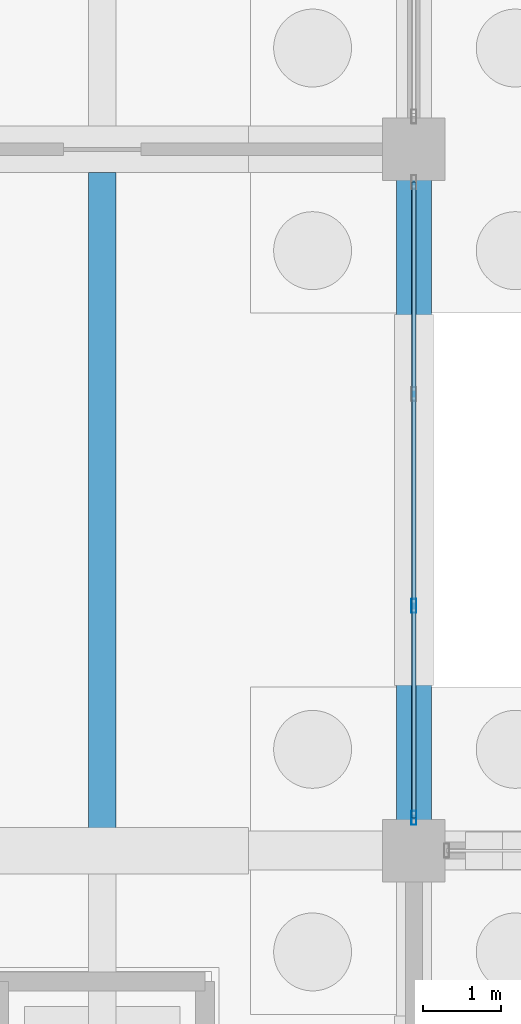
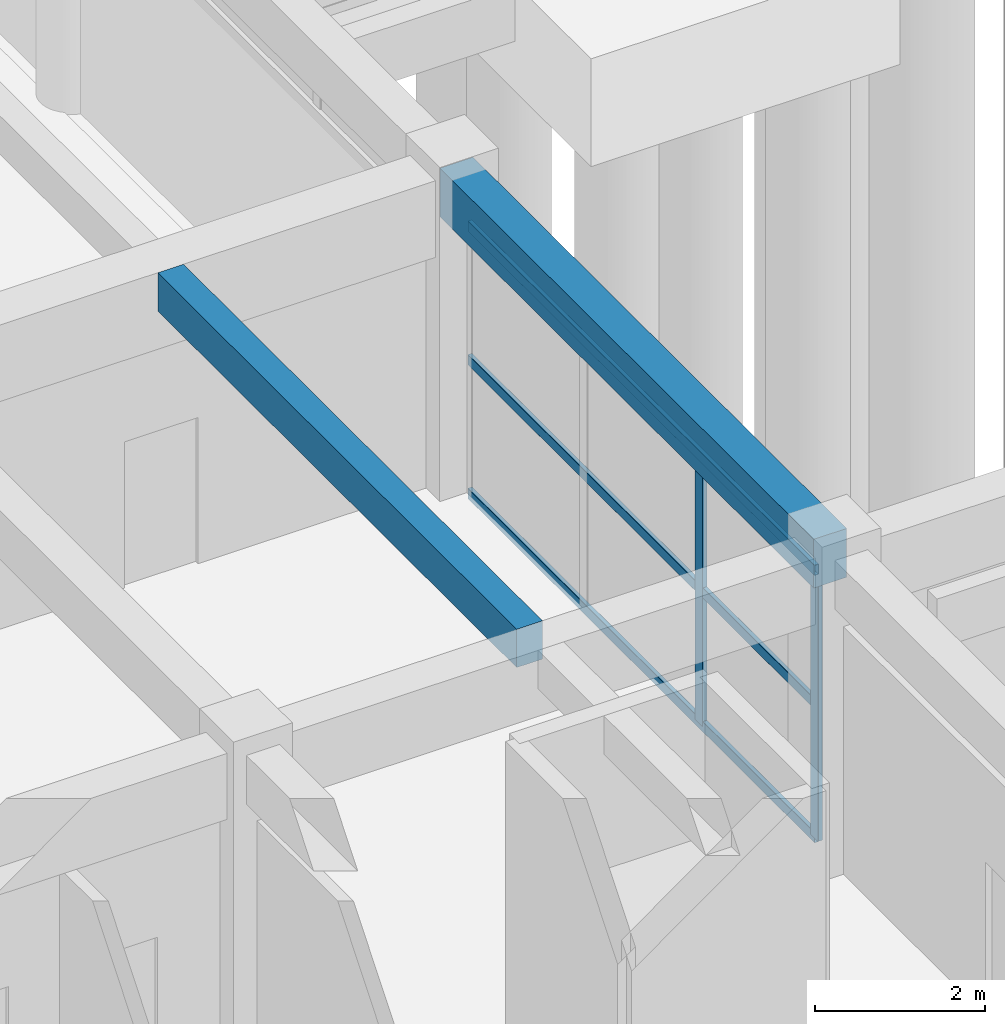
# One storey, part 33 of 147: 5 members, 2 beams, 1 element without a shape of its own.
"""IFC4 building model written with IfcOpenShell, lengths in metres."""

import ifcopenshell
import ifcopenshell.guid

model = None  # the IFC model being written
_history = None  # IfcOwnerHistory: only IFC2X3 demands one
_inside = {}  # id of a spatial element -> (the spatial element, [elements in it])
_under = {}  # id of a project, library or spatial element -> (it, [spatial elements below it])
_declared = {}  # id of a project -> (the project, [libraries it declares])
_typed = {}  # id of a type object -> (the type object, [elements of that type])
_made_of = {}  # id of a material, layer set ... -> (it, [elements and type objects made of it])


def new_model(schema):
    """Start an empty IFC model of exactly this schema.

    Asked for "IFC4X3", IfcOpenShell would pick the latest addendum, in which some entities
    have other attributes; the version numbers below select the first issue.
    IFC2X3 requires an IfcOwnerHistory on every rooted entity: one is made here for all.
    """
    global model, _history
    if schema == "IFC4X3":
        model = ifcopenshell.file(schema_version=(4, 3, 0, 0))
    else:
        model = ifcopenshell.file(schema=schema)
    _inside.clear()
    _under.clear()
    _declared.clear()
    _typed.clear()
    _made_of.clear()
    _history = None
    if model.schema == "IFC2X3":
        org = make("IfcOrganization", Name="unknown")
        user = make(
            "IfcPersonAndOrganization",
            ThePerson=make("IfcPerson", FamilyName="unknown"),
            TheOrganization=org,
        )
        app = make(
            "IfcApplication",
            ApplicationDeveloper=org,
            Version="unknown",
            ApplicationFullName="unknown",
            ApplicationIdentifier="unknown",
        )
        _history = make(
            "IfcOwnerHistory",
            OwningUser=user,
            OwningApplication=app,
            ChangeAction="ADDED",
            CreationDate=0,
        )
    return model


def make(cls, **values):
    """One entity of the class cls with the attributes given. An attribute that is None is left unset."""
    return model.create_entity(
        cls, **{name: value for name, value in values.items() if value is not None}
    )


def rooted(cls, **values):
    """An entity with a GlobalId (a new one), such as an element, a storey or a relation."""
    return make(cls, GlobalId=ifcopenshell.guid.new(), OwnerHistory=_history, **values)


def si_unit(unit_type, name, prefix=None):
    """IfcSIUnit, for example si_unit("LENGTHUNIT", "METRE", prefix="MILLI")."""
    return make("IfcSIUnit", UnitType=unit_type, Prefix=prefix, Name=name)


def assignment(units):
    """IfcUnitAssignment: the units of a project."""
    return None if units is None else make("IfcUnitAssignment", Units=units)


def point(xyz):
    """IfcCartesianPoint."""
    return None if xyz is None else make("IfcCartesianPoint", Coordinates=xyz)


def direction(xyz):
    """IfcDirection."""
    return None if xyz is None else make("IfcDirection", DirectionRatios=xyz)


def frame(location, z_axis=None, x_axis=None):
    """IfcAxis2Placement3D, a coordinate frame: its origin and axes. An axis left out is left unset."""
    return make(
        "IfcAxis2Placement3D",
        Location=point(location),
        Axis=direction(z_axis),
        RefDirection=direction(x_axis),
    )


def frame_2d(location, x_axis=None):
    """IfcAxis2Placement2D, a coordinate frame in the plane: its origin and x axis."""
    return make(
        "IfcAxis2Placement2D", Location=point(location), RefDirection=direction(x_axis)
    )


def origin():
    """The frame at (0, 0, 0) with its axes left unset."""
    return frame((0.0, 0.0, 0.0))


def origin_2d():
    """The frame at (0, 0) in the plane with its x axis left unset."""
    return frame_2d((0.0, 0.0))


def place(relative_to, where):
    """IfcLocalPlacement: puts the frame where relative to a parent placement (None: the world)."""
    return make(
        "IfcLocalPlacement", PlacementRelTo=relative_to, RelativePlacement=where
    )


def context(
    kind, dimensions, precision=None, world=None, true_north=None, identifier=None
):
    """IfcGeometricRepresentationContext, for example the 3D "Model" context."""
    return make(
        "IfcGeometricRepresentationContext",
        ContextIdentifier=identifier,
        ContextType=kind,
        CoordinateSpaceDimension=dimensions,
        Precision=precision,
        WorldCoordinateSystem=world,
        TrueNorth=true_north,
    )


def subcontext(parent, identifier, kind, view, scale=None):
    """IfcGeometricRepresentationSubContext, for example "Body" below "Model"."""
    return make(
        "IfcGeometricRepresentationSubContext",
        ContextIdentifier=identifier,
        ContextType=kind,
        ParentContext=parent,
        TargetScale=scale,
        TargetView=view,
    )


def project(units=None, contexts=None):
    """IfcProject with its units and contexts."""
    return rooted(
        "IfcProject",
        Name="project",
        RepresentationContexts=contexts,
        UnitsInContext=assignment(units),
    )


def spatial(cls, under=None, at=None, **own):
    """A site, building, storey or space (cls), placed at a placement, below another one or the project."""
    s = rooted(cls, ObjectPlacement=at, **own)
    if under is not None:
        _under.setdefault(under.id(), (under, []))[1].append(s)
    return s


def profile(cls, at=None, kind="AREA", **sizes):
    """A parametric profile (cls). Its sizes go by their IFC names, for example OverallWidth=200.0."""
    return make(cls, ProfileType=kind, Position=at, **sizes)


def rectangle(**sizes):
    """IfcRectangleProfileDef."""
    return profile("IfcRectangleProfileDef", **sizes)


def hollow_rectangle(**sizes):
    """IfcRectangleHollowProfileDef."""
    return profile("IfcRectangleHollowProfileDef", **sizes)


def extrude(swept, where, along, depth):
    """IfcExtrudedAreaSolid: the profile swept, set in the frame where, extruded along a direction by depth."""
    return make(
        "IfcExtrudedAreaSolid",
        SweptArea=swept,
        Position=where,
        ExtrudedDirection=direction(along),
        Depth=depth,
    )


def shape(context_of_items, identifier, shape_type, items):
    """IfcShapeRepresentation: the items that make up one representation, for example the "Body"."""
    return make(
        "IfcShapeRepresentation",
        ContextOfItems=context_of_items,
        RepresentationIdentifier=identifier,
        RepresentationType=shape_type,
        Items=items,
    )


def material(Name=None, Category=None):
    """IfcMaterial."""
    return make("IfcMaterial", Name=Name, Category=Category)


def material_profile(
    of_material, cross_section, Name=None, Category=None, Priority=None
):
    """IfcMaterialProfile: a cross section and its material."""
    return make(
        "IfcMaterialProfile",
        Name=Name,
        Material=of_material,
        Profile=cross_section,
        Priority=Priority,
        Category=Category,
    )


def profile_set(profiles, Name=None, composite=None):
    """IfcMaterialProfileSet."""
    return make(
        "IfcMaterialProfileSet",
        Name=Name,
        MaterialProfiles=profiles,
        CompositeProfile=composite,
    )


def made_of(thing, what):
    """Note that an element or type object is made of a material, layer set ...; save() writes the relation."""
    if what is not None:
        _made_of.setdefault(what.id(), (what, []))[1].append(thing)
    return thing


def type_object(cls, material=None, **own):
    """A type object (cls), such as IfcWallType, which elements share."""
    return made_of(rooted(cls, **own), material)


def element(
    cls,
    number,
    at=None,
    inside=None,
    cuts=None,
    type_object=None,
    material=None,
    context=None,
    identifier="Body",
    shape_type=None,
    held_by="IfcProductDefinitionShape",
    body=None,
    shapes=None,
    **own,
):
    """One element of the class cls, such as IfcWall. Its Tag is "e" and its number.

    at: its placement. inside: the storey or other place that contains it. cuts: it is an
    opening in that element (IfcRelVoidsElement). A single representation is given by context,
    identifier, shape_type and body (its items); several are given by shapes. held_by: the class
    of the entity that holds the representations. save() writes the other relations.
    """
    e = rooted(cls, Tag="e%d" % number, ObjectPlacement=at, **own)
    if body is not None:
        shapes = [shape(context, identifier, shape_type, body)]
    if shapes is not None:
        e.Representation = make(held_by, Representations=shapes)
    if inside is not None:
        _inside.setdefault(inside.id(), (inside, []))[1].append(e)
    if cuts is not None:
        rooted(
            "IfcRelVoidsElement", RelatingBuildingElement=cuts, RelatedOpeningElement=e
        )
    if type_object is not None:
        _typed.setdefault(type_object.id(), (type_object, []))[1].append(e)
    return made_of(e, material)


def aggregate(whole, parts):
    """IfcRelAggregates: a whole, such as a stair, and the parts it consists of."""
    return rooted("IfcRelAggregates", RelatingObject=whole, RelatedObjects=parts)


def save(model, path):
    """Write the relations noted so far, then the file.

    IfcRelAggregates (storeys below a building ...), IfcRelContainedInSpatialStructure (elements
    in a storey), IfcRelDefinesByType, IfcRelAssociatesMaterial and IfcRelDeclares: one each for
    every whole, place, type object, material and project.
    """
    for whole, parts in _under.values():
        aggregate(whole, parts)
    for where, things in _inside.values():
        rooted(
            "IfcRelContainedInSpatialStructure",
            RelatedElements=things,
            RelatingStructure=where,
        )
    for kind, things in _typed.values():
        rooted("IfcRelDefinesByType", RelatedObjects=things, RelatingType=kind)
    for what, things in _made_of.values():
        rooted("IfcRelAssociatesMaterial", RelatedObjects=things, RelatingMaterial=what)
    for by, libraries in _declared.values():
        rooted("IfcRelDeclares", RelatingContext=by, RelatedDefinitions=libraries)
    model.write(path)


model = new_model("IFC4")

# Units and contexts
model_context = context("Model", 3, precision=1e-05, world=origin(), true_north=direction((0.0, 1.0)))
body_context = subcontext(model_context, "Body", "Model", "MODEL_VIEW")
ifc_project = project(units=[si_unit("LENGTHUNIT", "METRE"), si_unit("AREAUNIT", "SQUARE_METRE"), si_unit("VOLUMEUNIT", "CUBIC_METRE"), si_unit("PLANEANGLEUNIT", "RADIAN"), si_unit("MASSUNIT", "GRAM", prefix="KILO")], contexts=[model_context])

# Site, building, storey
site_placement = place(None, origin())
site = spatial("IfcSite", under=ifc_project, at=site_placement, CompositionType="ELEMENT")
building_placement = place(site_placement, origin())
building = spatial("IfcBuilding", under=site, at=building_placement, Name="Varnabhumi Central Station", CompositionType="ELEMENT")
storey_placement = place(building_placement, origin())
storey = spatial("IfcBuildingStorey", under=building, at=storey_placement, Name="L00", CompositionType="ELEMENT", Elevation=0.0)

# Beams
ifc_material_1 = material(Name="Concrete M40", Category="concrete")
ifc_material_profile_1 = material_profile(ifc_material_1, rectangle(XDim=0.35009765625, YDim=0.550048828125, at=origin_2d()), Name="Concrete M40", Category="concrete")
ifc_profile_set_1 = profile_set([ifc_material_profile_1], Name="Concrete M40")
beam_type_1 = type_object("IfcBeamType", Name="BM-RC-350x550", PredefinedType="JOIST", material=ifc_profile_set_1)
beam_1_placement = place(storey_placement, frame((108.0, 9.25, 4.27490234375), z_axis=(0.0, 1.0, 0.0), x_axis=(-1.0, 0.0, 0.0)))
element("IfcBeam", 1, at=beam_1_placement, inside=storey, type_object=beam_type_1, Name="Secondary Joist L00-14/15:B-C", PredefinedType="JOIST", context=body_context, shape_type="SweptSolid", body=[
    extrude(rectangle(XDim=0.35009765625, YDim=0.550048828125, at=origin_2d()), origin(), (0.0, 0.0, 1.0), 8.449951171875),
])
ifc_material_profile_2 = material_profile(ifc_material_1, rectangle(XDim=0.449951171875, YDim=0.699951171875, at=origin_2d()), Name="Concrete M40", Category="concrete")
ifc_profile_set_2 = profile_set([ifc_material_profile_2], Name="Concrete M40")
beam_type_2 = type_object("IfcBeamType", Name="BM-RC-450x700", PredefinedType="BEAM", material=ifc_profile_set_2)
beam_2_placement = place(storey_placement, frame((112.0, 9.10009765625, 4.199951171875), z_axis=(0.0, 1.0, 0.0), x_axis=(-1.0, 0.0, 0.0)))
element("IfcBeam", 2, at=beam_2_placement, inside=storey, type_object=beam_type_2, Name="Beam L00-15:B-C", PredefinedType="BEAM", context=body_context, shape_type="SweptSolid", body=[
    extrude(rectangle(XDim=0.449951171875, YDim=0.699951171875, at=origin_2d()), origin(), (0.0, 0.0, 1.0), 8.7998046875),
])

# Curtain wall, members
ifc_material_2 = material(Name="Anodised aluminium 6063-T6", Category="aluminium")
curtain_wall_type = type_object("IfcCurtainWallType", Name="CW-PATIO-LOGGIA-L0", PredefinedType="NOTDEFINED", material=ifc_material_2)
curtain_wall_placement = place(storey_placement, origin())
curtain_wall = element("IfcCurtainWall", 3, at=curtain_wall_placement, inside=storey, type_object=curtain_wall_type, Name="Curtain Wall CW-SP0E1", PredefinedType="NOTDEFINED")
ifc_material_profile_3 = material_profile(ifc_material_2, hollow_rectangle(XDim=0.06494140625, YDim=0.179931640625, WallThickness=0.00390625, InnerFilletRadius=0.001953125, OuterFilletRadius=0.006103515625, at=origin_2d()), Name="Anodised aluminium 6063-T6", Category="aluminium")
ifc_profile_set_3 = profile_set([ifc_material_profile_3], Name="Anodised aluminium 6063-T6")
member_type_1 = type_object("IfcMemberType", Name="CW-MUL-180", PredefinedType="MULLION", material=ifc_profile_set_3)
member_1_placement = place(storey_placement, frame((112.0, 9.419921875, 0.0), z_axis=(0.0, 0.0, 1.0), x_axis=(1.0, 0.0, 0.0)))
member_1 = element("IfcMember", 4, at=member_1_placement, type_object=member_type_1, Name="Curtain Wall Mullion CW-SP0E1-M1", PredefinedType="MULLION", context=body_context, shape_type="SweptSolid", body=[
    extrude(hollow_rectangle(XDim=0.06494140625, YDim=0.179931640625, WallThickness=0.00390625, InnerFilletRadius=0.001953125, OuterFilletRadius=0.006103515625, at=origin_2d()), origin(), (0.0, 0.0, 1.0), 3.840087890625),
])
member_2_placement = place(storey_placement, frame((112.0, 12.139892578125, 0.0), z_axis=(0.0, 0.0, 1.0), x_axis=(1.0, 0.0, 0.0)))
member_2 = element("IfcMember", 5, at=member_2_placement, type_object=member_type_1, Name="Curtain Wall Mullion CW-SP0E1-M2", PredefinedType="MULLION", context=body_context, shape_type="SweptSolid", body=[
    extrude(hollow_rectangle(XDim=0.06494140625, YDim=0.179931640625, WallThickness=0.00390625, InnerFilletRadius=0.001953125, OuterFilletRadius=0.006103515625, at=origin_2d()), origin(), (0.0, 0.0, 1.0), 3.840087890625),
])
ifc_material_profile_4 = material_profile(ifc_material_2, hollow_rectangle(XDim=0.06005859375, YDim=0.14990234375, WallThickness=0.00390625, InnerFilletRadius=0.001953125, OuterFilletRadius=0.006103515625, at=origin_2d()), Name="Anodised aluminium 6063-T6", Category="aluminium")
ifc_profile_set_4 = profile_set([ifc_material_profile_4], Name="Anodised aluminium 6063-T6")
member_type_2 = type_object("IfcMemberType", Name="CW-TR-150", PredefinedType="USERDEFINED", material=ifc_profile_set_4)
member_3_placement = place(storey_placement, frame((112.0, 9.419921875, 0.0), z_axis=(0.0, 1.0, 0.0), x_axis=(-1.0, 0.0, 0.0)))
member_3 = element("IfcMember", 6, at=member_3_placement, type_object=member_type_2, Name="Curtain Wall Transom CW-SP0E1-T1", ObjectType="TRANSOM", PredefinedType="USERDEFINED", context=body_context, shape_type="SweptSolid", body=[
    extrude(hollow_rectangle(XDim=0.06005859375, YDim=0.14990234375, WallThickness=0.00390625, InnerFilletRadius=0.001953125, OuterFilletRadius=0.006103515625, at=origin_2d()), origin(), (0.0, 0.0, 1.0), 8.16015625),
])
member_4_placement = place(storey_placement, frame((112.0, 9.419921875, 1.919921875), z_axis=(0.0, 1.0, 0.0), x_axis=(-1.0, 0.0, 0.0)))
member_4 = element("IfcMember", 7, at=member_4_placement, type_object=member_type_2, Name="Curtain Wall Transom CW-SP0E1-T2", ObjectType="TRANSOM", PredefinedType="USERDEFINED", context=body_context, shape_type="SweptSolid", body=[
    extrude(hollow_rectangle(XDim=0.06005859375, YDim=0.14990234375, WallThickness=0.00390625, InnerFilletRadius=0.001953125, OuterFilletRadius=0.006103515625, at=origin_2d()), origin(), (0.0, 0.0, 1.0), 8.16015625),
])
member_5_placement = place(storey_placement, frame((112.0, 9.419921875, 3.840087890625), z_axis=(0.0, 1.0, 0.0), x_axis=(-1.0, 0.0, 0.0)))
member_5 = element("IfcMember", 8, at=member_5_placement, type_object=member_type_2, Name="Curtain Wall Transom CW-SP0E1-T3", ObjectType="TRANSOM", PredefinedType="USERDEFINED", context=body_context, shape_type="SweptSolid", body=[
    extrude(hollow_rectangle(XDim=0.06005859375, YDim=0.14990234375, WallThickness=0.00390625, InnerFilletRadius=0.001953125, OuterFilletRadius=0.006103515625, at=origin_2d()), origin(), (0.0, 0.0, 1.0), 8.16015625),
])
aggregate(curtain_wall, [member_1, member_2, member_3, member_4, member_5])

save(model, "model.ifc")
